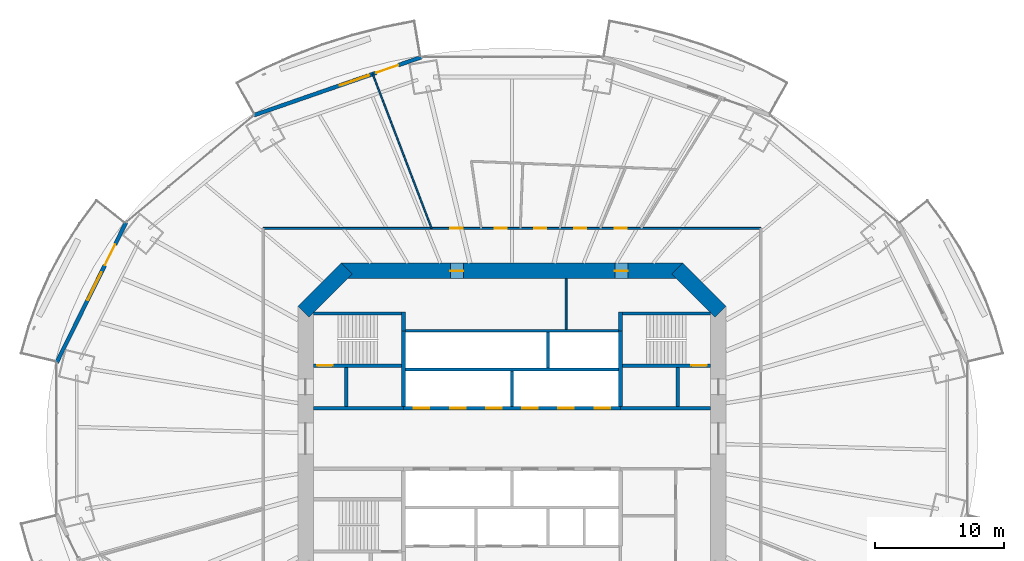
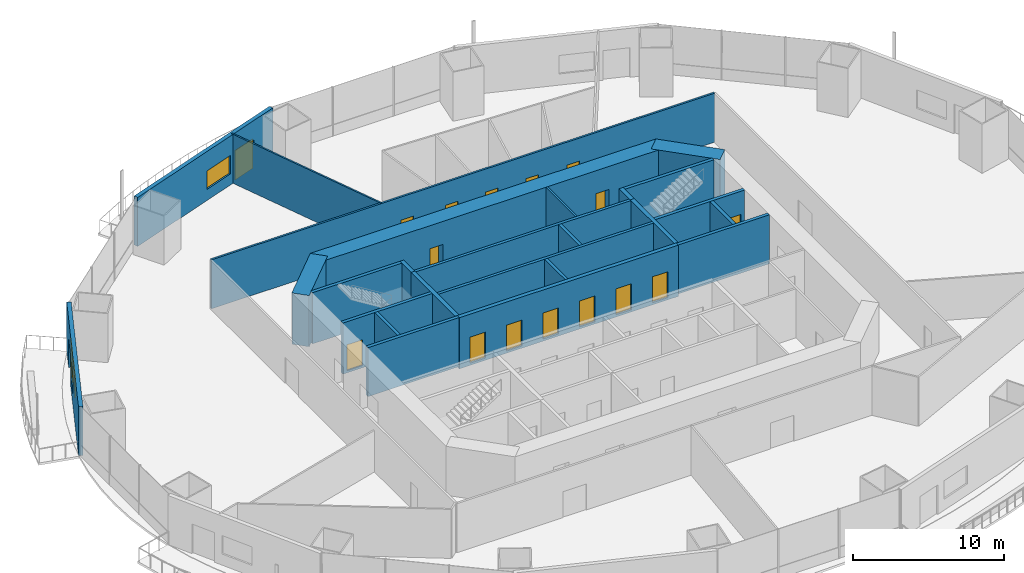
# One storey, part 16 of 23: 25 walls, 17 doors, 2 windows, 19 openings.
"""IFC4 building model written with IfcOpenShell, lengths in metres."""

from ifc_helpers import new_model, si_unit, direction, frame, frame_2d, origin, place, context, subcontext, project, spatial, rectangle, extrude, material, layer, layer_set, type_object, element, fill, save


model = new_model("IFC4")

# Units and contexts
model_context = context("Model", 3, precision=1e-05, world=origin(), true_north=direction((0.0, 1.0)))
body_context = subcontext(model_context, "Body", "Model", "MODEL_VIEW")
ifc_project = project(units=[si_unit("LENGTHUNIT", "METRE"), si_unit("AREAUNIT", "SQUARE_METRE"), si_unit("VOLUMEUNIT", "CUBIC_METRE"), si_unit("PLANEANGLEUNIT", "RADIAN"), si_unit("MASSUNIT", "GRAM", prefix="KILO")], contexts=[model_context])

# Site, building, storey
site_placement = place(None, origin())
site = spatial("IfcSite", under=ifc_project, at=site_placement, CompositionType="ELEMENT")
building_placement = place(site_placement, origin())
building = spatial("IfcBuilding", under=site, at=building_placement, Name="Marenthal Gate Tower", CompositionType="ELEMENT")
storey_placement = place(building_placement, frame((0.0, 0.0, 57.89990234375)))
storey = spatial("IfcBuildingStorey", under=building, at=storey_placement, Name="L10", CompositionType="ELEMENT", Elevation=57.89990234375)

# Wall
ifc_material_1 = material(Name="Concrete 60 MPa", Category="concrete")
ifc_layer_1 = layer(ifc_material_1, 1.199951171875)
ifc_layer_set_1 = layer_set([ifc_layer_1], Name="Core shear wall 1200")
wall_type_1 = type_object("IfcWallType", Name="Core shear wall 1200", PredefinedType="SHEAR", material=ifc_layer_set_1)
wall_1_placement = place(storey_placement, frame((16.17578125, 9.82421875, -0.179931640625), z_axis=(0.0, 0.0, 1.0), x_axis=(-0.707106781187, 0.707106781187, 0.0)))
element("IfcWall", 1, at=wall_1_placement, inside=storey, type_object=wall_type_1, Name="Core wall 03", PredefinedType="SHEAR", context=body_context, shape_type="SweptSolid", body=[
    extrude(rectangle(XDim=4.73974609375, YDim=1.199951171875, at=frame_2d((2.369873046875, 0.0))), origin(), (0.0, 0.0, 1.0), 4.150146484375),
])

# Wall, openings, doors
wall_2_placement = place(storey_placement, frame((13.24853515625, 13.0, -0.179931640625), z_axis=(0.0, 0.0, 1.0), x_axis=(-1.0, 0.0, 0.0)))
wall_2 = element("IfcWall", 2, at=wall_2_placement, inside=storey, type_object=wall_type_1, Name="Core wall 04", PredefinedType="SHEAR", context=body_context, shape_type="SweptSolid", body=[
    extrude(rectangle(XDim=26.4970703125, YDim=1.199951171875, at=frame_2d((13.24853515625, 0.0))), origin(), (0.0, 0.0, 1.0), 4.150146484375),
])
opening_1_placement = place(wall_2_placement, frame((17.0244140625, 0.0, 0.179931640625)))
opening_1 = element("IfcOpeningElement", 3, at=opening_1_placement, cuts=wall_2, Name="Opening D005.01", PredefinedType="OPENING", context=body_context, shape_type="SweptSolid", body=[
    extrude(rectangle(XDim=1.0, YDim=2.10009765625, at=frame_2d((0.5, 1.050048828125))), frame((0.0, 0.60986328125, 0.0), z_axis=(0.0, -1.0, 0.0), x_axis=(1.0, 0.0, 0.0)), (0.0, 0.0, 1.0), 1.219970703125),
])
opening_2_placement = place(wall_2_placement, frame((4.2724609375, 0.0, 0.179931640625)))
opening_2 = element("IfcOpeningElement", 4, at=opening_2_placement, cuts=wall_2, Name="Opening D005.02", PredefinedType="OPENING", context=body_context, shape_type="SweptSolid", body=[
    extrude(rectangle(XDim=1.0, YDim=2.10009765625, at=frame_2d((0.5, 1.050048828125))), frame((0.0, 0.60986328125, 0.0), z_axis=(0.0, -1.0, 0.0), x_axis=(1.0, 0.0, 0.0)), (0.0, 0.0, 1.0), 1.219970703125),
])
ifc_material_2 = material(Name="Steel fire door", Category="steel")
door_type_1 = type_object("IfcDoorType", Name="Fire door FD 45 1000 x 2100", OperationType="NOTDEFINED", PredefinedType="DOOR", material=ifc_material_2)
door_1_placement = place(opening_1_placement, origin())
door_1 = element("IfcDoor", 5, at=door_1_placement, inside=storey, type_object=door_type_1, Name="Door D005.01", OperationType="SINGLE_SWING_RIGHT", OverallHeight=2.10009765625, OverallWidth=1.0, PredefinedType="DOOR", context=body_context, shape_type="SweptSolid", body=[
    extrude(rectangle(XDim=1.0, YDim=2.10009765625, at=frame_2d((0.5, 1.050048828125))), frame((0.0, 0.02490234375, 0.0), z_axis=(0.0, -1.0, 0.0), x_axis=(1.0, 0.0, 0.0)), (0.0, 0.0, 1.0), 0.050048828125),
])
fill(opening_1, door_1)
door_2_placement = place(opening_2_placement, origin())
door_2 = element("IfcDoor", 6, at=door_2_placement, inside=storey, type_object=door_type_1, Name="Door D005.02", OperationType="SINGLE_SWING_RIGHT", OverallHeight=2.10009765625, OverallWidth=1.0, PredefinedType="DOOR", context=body_context, shape_type="SweptSolid", body=[
    extrude(rectangle(XDim=1.0, YDim=2.10009765625, at=frame_2d((0.5, 1.050048828125))), frame((0.0, 0.02490234375, 0.0), z_axis=(0.0, -1.0, 0.0), x_axis=(1.0, 0.0, 0.0)), (0.0, 0.0, 1.0), 0.050048828125),
])
fill(opening_2, door_2)

# Wall
wall_3_placement = place(storey_placement, frame((-12.82421875, 13.17578125, -0.179931640625), z_axis=(0.0, 0.0, 1.0), x_axis=(-0.707106781187, -0.707106781187, 0.0)))
element("IfcWall", 7, at=wall_3_placement, inside=storey, type_object=wall_type_1, Name="Core wall 05", PredefinedType="SHEAR", context=body_context, shape_type="SweptSolid", body=[
    extrude(rectangle(XDim=4.73974609375, YDim=1.199951171875, at=frame_2d((2.369873046875, 0.0))), origin(), (0.0, 0.0, 1.0), 4.150146484375),
])

# Wall, openings, doors
ifc_material_3 = material(Name="Concrete 50 MPa", Category="concrete")
ifc_layer_2 = layer(ifc_material_3, 0.300048828125)
ifc_layer_set_2 = layer_set([ifc_layer_2], Name="Hoistway shear wall 300")
wall_type_2 = type_object("IfcWallType", Name="Hoistway shear wall 300", PredefinedType="SHEAR", material=ifc_layer_set_2)
wall_4_placement = place(storey_placement, frame((-8.39990234375, 2.35009765625, -0.179931640625), z_axis=(0.0, 0.0, 1.0), x_axis=(1.0, 0.0, 0.0)))
wall_4 = element("IfcWall", 8, at=wall_4_placement, inside=storey, type_object=wall_type_2, Name="Hoistway wall 19", PredefinedType="SHEAR", context=body_context, shape_type="SweptSolid", body=[
    extrude(rectangle(XDim=16.7998046875, YDim=0.300048828125, at=frame_2d((8.39990234375, 0.0))), origin(), (0.0, 0.0, 1.0), 4.150146484375),
])
opening_3_placement = place(wall_4_placement, frame((0.800048828125, 0.0, 0.179931640625)))
opening_3 = element("IfcOpeningElement", 9, at=opening_3_placement, cuts=wall_4, Name="Opening LD-LP1", PredefinedType="OPENING", context=body_context, shape_type="SweptSolid", body=[
    extrude(rectangle(XDim=1.199951171875, YDim=2.10009765625, at=frame_2d((0.60009765625, 1.050048828125))), frame((0.0, 0.16015625, 0.0), z_axis=(0.0, -1.0, 0.0), x_axis=(1.0, 0.0, 0.0)), (0.0, 0.0, 1.0), 0.320068359375),
])
opening_4_placement = place(wall_4_placement, frame((3.60009765625, 0.0, 0.179931640625)))
opening_4 = element("IfcOpeningElement", 10, at=opening_4_placement, cuts=wall_4, Name="Opening LD-LP2", PredefinedType="OPENING", context=body_context, shape_type="SweptSolid", body=[
    extrude(rectangle(XDim=1.199951171875, YDim=2.10009765625, at=frame_2d((0.60009765625, 1.050048828125))), frame((0.0, 0.16015625, 0.0), z_axis=(0.0, -1.0, 0.0), x_axis=(1.0, 0.0, 0.0)), (0.0, 0.0, 1.0), 0.320068359375),
])
opening_5_placement = place(wall_4_placement, frame((6.39990234375, 0.0, 0.179931640625)))
opening_5 = element("IfcOpeningElement", 11, at=opening_5_placement, cuts=wall_4, Name="Opening LD-LP3", PredefinedType="OPENING", context=body_context, shape_type="SweptSolid", body=[
    extrude(rectangle(XDim=1.199951171875, YDim=2.10009765625, at=frame_2d((0.60009765625, 1.050048828125))), frame((0.0, 0.16015625, 0.0), z_axis=(0.0, -1.0, 0.0), x_axis=(1.0, 0.0, 0.0)), (0.0, 0.0, 1.0), 0.320068359375),
])
opening_6_placement = place(wall_4_placement, frame((9.199951171875, 0.0, 0.179931640625)))
opening_6 = element("IfcOpeningElement", 12, at=opening_6_placement, cuts=wall_4, Name="Opening LD-LP4", PredefinedType="OPENING", context=body_context, shape_type="SweptSolid", body=[
    extrude(rectangle(XDim=1.199951171875, YDim=2.10009765625, at=frame_2d((0.60009765625, 1.050048828125))), frame((0.0, 0.16015625, 0.0), z_axis=(0.0, -1.0, 0.0), x_axis=(1.0, 0.0, 0.0)), (0.0, 0.0, 1.0), 0.320068359375),
])
opening_7_placement = place(wall_4_placement, frame((12.0, 0.0, 0.179931640625)))
opening_7 = element("IfcOpeningElement", 13, at=opening_7_placement, cuts=wall_4, Name="Opening LD-LP5", PredefinedType="OPENING", context=body_context, shape_type="SweptSolid", body=[
    extrude(rectangle(XDim=1.199951171875, YDim=2.10009765625, at=frame_2d((0.60009765625, 1.050048828125))), frame((0.0, 0.16015625, 0.0), z_axis=(0.0, -1.0, 0.0), x_axis=(1.0, 0.0, 0.0)), (0.0, 0.0, 1.0), 0.320068359375),
])
opening_8_placement = place(wall_4_placement, frame((14.800048828125, 0.0, 0.179931640625)))
opening_8 = element("IfcOpeningElement", 14, at=opening_8_placement, cuts=wall_4, Name="Opening LD-LP6", PredefinedType="OPENING", context=body_context, shape_type="SweptSolid", body=[
    extrude(rectangle(XDim=1.199951171875, YDim=2.10009765625, at=frame_2d((0.60009765625, 1.050048828125))), frame((0.0, 0.16015625, 0.0), z_axis=(0.0, -1.0, 0.0), x_axis=(1.0, 0.0, 0.0)), (0.0, 0.0, 1.0), 0.320068359375),
])
ifc_material_4 = material(Name="Stainless steel sliding door", Category="steel")
door_type_2 = type_object("IfcDoorType", Name="Lift landing door FD 90 1200 x 2100", OperationType="DOUBLE_DOOR_SLIDING", PredefinedType="DOOR", material=ifc_material_4)
door_3_placement = place(opening_3_placement, origin())
door_3 = element("IfcDoor", 15, at=door_3_placement, inside=storey, type_object=door_type_2, Name="Lift landing door LP1", OperationType="DOUBLE_DOOR_SLIDING", OverallHeight=2.10009765625, OverallWidth=1.199951171875, PredefinedType="DOOR", context=body_context, shape_type="SweptSolid", body=[
    extrude(rectangle(XDim=1.199951171875, YDim=2.10009765625, at=frame_2d((0.60009765625, 1.050048828125))), frame((0.0, 0.02490234375, 0.0), z_axis=(0.0, -1.0, 0.0), x_axis=(1.0, 0.0, 0.0)), (0.0, 0.0, 1.0), 0.050048828125),
])
fill(opening_3, door_3)
door_4_placement = place(opening_4_placement, origin())
door_4 = element("IfcDoor", 16, at=door_4_placement, inside=storey, type_object=door_type_2, Name="Lift landing door LP2", OperationType="DOUBLE_DOOR_SLIDING", OverallHeight=2.10009765625, OverallWidth=1.199951171875, PredefinedType="DOOR", context=body_context, shape_type="SweptSolid", body=[
    extrude(rectangle(XDim=1.199951171875, YDim=2.10009765625, at=frame_2d((0.60009765625, 1.050048828125))), frame((0.0, 0.02490234375, 0.0), z_axis=(0.0, -1.0, 0.0), x_axis=(1.0, 0.0, 0.0)), (0.0, 0.0, 1.0), 0.050048828125),
])
fill(opening_4, door_4)
door_5_placement = place(opening_5_placement, origin())
door_5 = element("IfcDoor", 17, at=door_5_placement, inside=storey, type_object=door_type_2, Name="Lift landing door LP3", OperationType="DOUBLE_DOOR_SLIDING", OverallHeight=2.10009765625, OverallWidth=1.199951171875, PredefinedType="DOOR", context=body_context, shape_type="SweptSolid", body=[
    extrude(rectangle(XDim=1.199951171875, YDim=2.10009765625, at=frame_2d((0.60009765625, 1.050048828125))), frame((0.0, 0.02490234375, 0.0), z_axis=(0.0, -1.0, 0.0), x_axis=(1.0, 0.0, 0.0)), (0.0, 0.0, 1.0), 0.050048828125),
])
fill(opening_5, door_5)
door_6_placement = place(opening_6_placement, origin())
door_6 = element("IfcDoor", 18, at=door_6_placement, inside=storey, type_object=door_type_2, Name="Lift landing door LP4", OperationType="DOUBLE_DOOR_SLIDING", OverallHeight=2.10009765625, OverallWidth=1.199951171875, PredefinedType="DOOR", context=body_context, shape_type="SweptSolid", body=[
    extrude(rectangle(XDim=1.199951171875, YDim=2.10009765625, at=frame_2d((0.60009765625, 1.050048828125))), frame((0.0, 0.02490234375, 0.0), z_axis=(0.0, -1.0, 0.0), x_axis=(1.0, 0.0, 0.0)), (0.0, 0.0, 1.0), 0.050048828125),
])
fill(opening_6, door_6)
door_7_placement = place(opening_7_placement, origin())
door_7 = element("IfcDoor", 19, at=door_7_placement, inside=storey, type_object=door_type_2, Name="Lift landing door LP5", OperationType="DOUBLE_DOOR_SLIDING", OverallHeight=2.10009765625, OverallWidth=1.199951171875, PredefinedType="DOOR", context=body_context, shape_type="SweptSolid", body=[
    extrude(rectangle(XDim=1.199951171875, YDim=2.10009765625, at=frame_2d((0.60009765625, 1.050048828125))), frame((0.0, 0.02490234375, 0.0), z_axis=(0.0, -1.0, 0.0), x_axis=(1.0, 0.0, 0.0)), (0.0, 0.0, 1.0), 0.050048828125),
])
fill(opening_7, door_7)
door_8_placement = place(opening_8_placement, origin())
door_8 = element("IfcDoor", 20, at=door_8_placement, inside=storey, type_object=door_type_2, Name="Lift landing door LP6", OperationType="DOUBLE_DOOR_SLIDING", OverallHeight=2.10009765625, OverallWidth=1.199951171875, PredefinedType="DOOR", context=body_context, shape_type="SweptSolid", body=[
    extrude(rectangle(XDim=1.199951171875, YDim=2.10009765625, at=frame_2d((0.60009765625, 1.050048828125))), frame((0.0, 0.02490234375, 0.0), z_axis=(0.0, -1.0, 0.0), x_axis=(1.0, 0.0, 0.0)), (0.0, 0.0, 1.0), 0.050048828125),
])
fill(opening_8, door_8)

# Walls
for number, where, z_axis, x_axis, name in (
    (21, (-8.39990234375, 2.5, -0.179931640625), (0.0, 0.0, 1.0), (0.0, 1.0, 0.0), "Hoistway wall 31"),
    (22, (8.39990234375, 2.5, -0.179931640625), (0.0, 0.0, 1.0), (0.0, 1.0, 0.0), "Hoistway wall 43"),
):
    element("IfcWall", number, at=place(storey_placement, frame(where, z_axis=z_axis, x_axis=x_axis)), inside=storey, type_object=wall_type_2, Name=name, PredefinedType="SHEAR", context=body_context, shape_type="SweptSolid", body=[
        extrude(rectangle(XDim=5.85009765625, YDim=0.300048828125, at=frame_2d((2.925048828125, 0.0))), origin(), (0.0, 0.0, 1.0), 4.150146484375),
    ])
ifc_material_5 = material(Name="Concrete 40 MPa", Category="concrete")
ifc_layer_3 = layer(ifc_material_5, 0.219970703125)
ifc_layer_set_3 = layer_set([ifc_layer_3], Name="Hoistway wall 220")
wall_type_3 = type_object("IfcWallType", Name="Hoistway wall 220", PredefinedType="STANDARD", material=ifc_layer_set_3)
for number, where, z_axis, x_axis, name in (
    (23, (-8.25, 5.35009765625, 0.0), (0.0, 0.0, 1.0), (1.0, 0.0, 0.0), "Hoistway wall 21"),
    (24, (-8.25, 8.35009765625, 0.0), (0.0, 0.0, 1.0), (1.0, 0.0, 0.0), "Hoistway wall 24"),
):
    element("IfcWall", number, at=place(storey_placement, frame(where, z_axis=z_axis, x_axis=x_axis)), inside=storey, type_object=wall_type_3, Name=name, PredefinedType="STANDARD", context=body_context, shape_type="SweptSolid", body=[
        extrude(rectangle(XDim=16.5, YDim=0.219970703125, at=frame_2d((8.25, 0.0))), origin(), (0.0, 0.0, 1.0), 3.97021484375),
    ])
wall_5_placement = place(storey_placement, frame((0.0, 2.5, 0.0), z_axis=(0.0, 0.0, 1.0), x_axis=(0.0, 1.0, 0.0)))
element("IfcWall", 25, at=wall_5_placement, inside=storey, type_object=wall_type_3, Name="Hoistway wall 36", PredefinedType="STANDARD", context=body_context, shape_type="SweptSolid", body=[
    extrude(rectangle(XDim=2.739990234375, YDim=0.219970703125, at=frame_2d((1.3701171875, 0.0))), origin(), (0.0, 0.0, 1.0), 3.97021484375),
])
wall_6_placement = place(storey_placement, frame((2.800048828125, 5.4599609375, 0.0), z_axis=(0.0, 0.0, 1.0), x_axis=(0.0, 1.0, 0.0)))
element("IfcWall", 26, at=wall_6_placement, inside=storey, type_object=wall_type_3, Name="Hoistway wall 38", PredefinedType="STANDARD", context=body_context, shape_type="SweptSolid", body=[
    extrude(rectangle(XDim=2.780029296875, YDim=0.219970703125, at=frame_2d((1.39013671875, 0.0))), origin(), (0.0, 0.0, 1.0), 3.97021484375),
])
ifc_material_6 = material(Name="Gypsum board on steel studs", Category="steel")
ifc_layer_4 = layer(ifc_material_6, 0.1201171875)
ifc_layer_set_4 = layer_set([ifc_layer_4], Name="Partition 120")
wall_type_4 = type_object("IfcWallType", Name="Partition 120", PredefinedType="PARTITIONING", material=ifc_layer_set_4)
wall_7_placement = place(storey_placement, frame((-6.23046875, 16.300048828125, 0.0), z_axis=(0.0, 0.0, 1.0), x_axis=(-0.357030786406, 0.934092617227, 0.0)))
element("IfcWall", 27, at=wall_7_placement, inside=storey, type_object=wall_type_4, Name="Partition wall 52", PredefinedType="PARTITIONING", context=body_context, shape_type="SweptSolid", body=[
    extrude(rectangle(XDim=12.80224609375, YDim=0.1201171875, at=frame_2d((6.401123046875, 0.0))), origin(), (0.0, 0.0, 1.0), 3.97021484375),
])
ifc_material_7 = material(Name="Gypsum board on steel studs", Category="steel")
ifc_layer_5 = layer(ifc_material_7, 0.14990234375)
ifc_layer_set_5 = layer_set([ifc_layer_5], Name="Partition 150")
wall_type_5 = type_object("IfcWallType", Name="Partition 150", PredefinedType="PARTITIONING", material=ifc_layer_set_5)
wall_8_placement = place(storey_placement, frame((4.199951171875, 8.4599609375, 0.0), z_axis=(0.0, 0.0, 1.0), x_axis=(0.0, 1.0, 0.0)))
element("IfcWall", 28, at=wall_8_placement, inside=storey, type_object=wall_type_5, Name="Partition wall 39", PredefinedType="PARTITIONING", context=body_context, shape_type="SweptSolid", body=[
    extrude(rectangle(XDim=3.93994140625, YDim=0.14990234375, at=frame_2d((1.969970703125, 0.0))), origin(), (0.0, 0.0, 1.0), 3.97021484375),
])

# Wall, openings, doors
wall_9_placement = place(storey_placement, frame((-19.300048828125, 16.300048828125, 0.0), z_axis=(0.0, 0.0, 1.0), x_axis=(1.0, 0.0, 0.0)))
wall_9 = element("IfcWall", 29, at=wall_9_placement, inside=storey, type_object=wall_type_5, Name="Partition wall 51", PredefinedType="PARTITIONING", context=body_context, shape_type="SweptSolid", body=[
    extrude(rectangle(XDim=38.60009765625, YDim=0.14990234375, at=frame_2d((19.300048828125, 0.0))), origin(), (0.0, 0.0, 1.0), 3.97021484375),
])
opening_9_placement = place(wall_9_placement, frame((27.260009765625, 0.0, 0.0)))
opening_9 = element("IfcOpeningElement", 30, at=opening_9_placement, cuts=wall_9, Name="Opening D016.01", PredefinedType="OPENING", context=body_context, shape_type="SweptSolid", body=[
    extrude(rectangle(XDim=0.949951171875, YDim=2.10009765625, at=frame_2d((0.47509765625, 1.050048828125))), frame((0.0, 0.0849609375, 0.0), z_axis=(0.0, -1.0, 0.0), x_axis=(1.0, 0.0, 0.0)), (0.0, 0.0, 1.0), 0.169921875),
])
opening_10_placement = place(wall_9_placement, frame((24.110107421875, 0.0, 0.0)))
opening_10 = element("IfcOpeningElement", 31, at=opening_10_placement, cuts=wall_9, Name="Opening D016.02", PredefinedType="OPENING", context=body_context, shape_type="SweptSolid", body=[
    extrude(rectangle(XDim=0.949951171875, YDim=2.10009765625, at=frame_2d((0.47509765625, 1.050048828125))), frame((0.0, 0.0849609375, 0.0), z_axis=(0.0, -1.0, 0.0), x_axis=(1.0, 0.0, 0.0)), (0.0, 0.0, 1.0), 0.169921875),
])
opening_11_placement = place(wall_9_placement, frame((21.008056640625, 0.0, 0.0)))
opening_11 = element("IfcOpeningElement", 32, at=opening_11_placement, cuts=wall_9, Name="Opening D016.03", PredefinedType="OPENING", context=body_context, shape_type="SweptSolid", body=[
    extrude(rectangle(XDim=0.949951171875, YDim=2.10009765625, at=frame_2d((0.47509765625, 1.050048828125))), frame((0.0, 0.0849609375, 0.0), z_axis=(0.0, -1.0, 0.0), x_axis=(1.0, 0.0, 0.0)), (0.0, 0.0, 1.0), 0.169921875),
])
opening_12_placement = place(wall_9_placement, frame((17.951904296875, 0.0, 0.0)))
opening_12 = element("IfcOpeningElement", 33, at=opening_12_placement, cuts=wall_9, Name="Opening D016.04", PredefinedType="OPENING", context=body_context, shape_type="SweptSolid", body=[
    extrude(rectangle(XDim=0.949951171875, YDim=2.10009765625, at=frame_2d((0.47509765625, 1.050048828125))), frame((0.0, 0.0849609375, 0.0), z_axis=(0.0, -1.0, 0.0), x_axis=(1.0, 0.0, 0.0)), (0.0, 0.0, 1.0), 0.169921875),
])
opening_13_placement = place(wall_9_placement, frame((14.51611328125, 0.0, 0.0)))
opening_13 = element("IfcOpeningElement", 34, at=opening_13_placement, cuts=wall_9, Name="Opening D016.05", PredefinedType="OPENING", context=body_context, shape_type="SweptSolid", body=[
    extrude(rectangle(XDim=0.949951171875, YDim=2.10009765625, at=frame_2d((0.47509765625, 1.050048828125))), frame((0.0, 0.0849609375, 0.0), z_axis=(0.0, -1.0, 0.0), x_axis=(1.0, 0.0, 0.0)), (0.0, 0.0, 1.0), 0.169921875),
])
ifc_material_8 = material(Name="Timber door", Category="wood")
door_type_3 = type_object("IfcDoorType", Name="Door 950 x 2100", OperationType="NOTDEFINED", PredefinedType="DOOR", material=ifc_material_8)
door_9_placement = place(opening_9_placement, origin())
door_9 = element("IfcDoor", 35, at=door_9_placement, inside=storey, type_object=door_type_3, Name="Door D016.01", OperationType="SINGLE_SWING_RIGHT", OverallHeight=2.10009765625, OverallWidth=0.949951171875, PredefinedType="DOOR", context=body_context, shape_type="SweptSolid", body=[
    extrude(rectangle(XDim=0.949951171875, YDim=2.10009765625, at=frame_2d((0.47509765625, 1.050048828125))), frame((0.0, 0.02490234375, 0.0), z_axis=(0.0, -1.0, 0.0), x_axis=(1.0, 0.0, 0.0)), (0.0, 0.0, 1.0), 0.050048828125),
])
fill(opening_9, door_9)
door_10_placement = place(opening_10_placement, origin())
door_10 = element("IfcDoor", 36, at=door_10_placement, inside=storey, type_object=door_type_3, Name="Door D016.02", OperationType="SINGLE_SWING_RIGHT", OverallHeight=2.10009765625, OverallWidth=0.949951171875, PredefinedType="DOOR", context=body_context, shape_type="SweptSolid", body=[
    extrude(rectangle(XDim=0.949951171875, YDim=2.10009765625, at=frame_2d((0.47509765625, 1.050048828125))), frame((0.0, 0.02490234375, 0.0), z_axis=(0.0, -1.0, 0.0), x_axis=(1.0, 0.0, 0.0)), (0.0, 0.0, 1.0), 0.050048828125),
])
fill(opening_10, door_10)
door_11_placement = place(opening_11_placement, origin())
door_11 = element("IfcDoor", 37, at=door_11_placement, inside=storey, type_object=door_type_3, Name="Door D016.03", OperationType="SINGLE_SWING_RIGHT", OverallHeight=2.10009765625, OverallWidth=0.949951171875, PredefinedType="DOOR", context=body_context, shape_type="SweptSolid", body=[
    extrude(rectangle(XDim=0.949951171875, YDim=2.10009765625, at=frame_2d((0.47509765625, 1.050048828125))), frame((0.0, 0.02490234375, 0.0), z_axis=(0.0, -1.0, 0.0), x_axis=(1.0, 0.0, 0.0)), (0.0, 0.0, 1.0), 0.050048828125),
])
fill(opening_11, door_11)
door_12_placement = place(opening_12_placement, origin())
door_12 = element("IfcDoor", 38, at=door_12_placement, inside=storey, type_object=door_type_3, Name="Door D016.04", OperationType="SINGLE_SWING_RIGHT", OverallHeight=2.10009765625, OverallWidth=0.949951171875, PredefinedType="DOOR", context=body_context, shape_type="SweptSolid", body=[
    extrude(rectangle(XDim=0.949951171875, YDim=2.10009765625, at=frame_2d((0.47509765625, 1.050048828125))), frame((0.0, 0.02490234375, 0.0), z_axis=(0.0, -1.0, 0.0), x_axis=(1.0, 0.0, 0.0)), (0.0, 0.0, 1.0), 0.050048828125),
])
fill(opening_12, door_12)
door_13_placement = place(opening_13_placement, origin())
door_13 = element("IfcDoor", 39, at=door_13_placement, inside=storey, type_object=door_type_3, Name="Door D016.05", OperationType="SINGLE_SWING_RIGHT", OverallHeight=2.10009765625, OverallWidth=0.949951171875, PredefinedType="DOOR", context=body_context, shape_type="SweptSolid", body=[
    extrude(rectangle(XDim=0.949951171875, YDim=2.10009765625, at=frame_2d((0.47509765625, 1.050048828125))), frame((0.0, 0.02490234375, 0.0), z_axis=(0.0, -1.0, 0.0), x_axis=(1.0, 0.0, 0.0)), (0.0, 0.0, 1.0), 0.050048828125),
])
fill(opening_13, door_13)

# Walls
ifc_material_9 = material(Name="Concrete 40 MPa", Category="concrete")
ifc_layer_6 = layer(ifc_material_9, 0.25)
ifc_layer_set_6 = layer_set([ifc_layer_6], Name="Stair enclosure wall 250")
wall_type_6 = type_object("IfcWallType", Name="Stair enclosure wall 250", PredefinedType="STANDARD", material=ifc_layer_set_6)
for number, where, z_axis, x_axis, name in (
    (40, (-15.39990234375, 2.35009765625, 0.0), (0.0, 0.0, 1.0), (1.0, 0.0, 0.0), "Stair wall 18"),
    (41, (8.39990234375, 2.35009765625, 0.0), (0.0, 0.0, 1.0), (1.0, 0.0, 0.0), "Stair wall 20"),
):
    element("IfcWall", number, at=place(storey_placement, frame(where, z_axis=z_axis, x_axis=x_axis)), inside=storey, type_object=wall_type_6, Name=name, PredefinedType="STANDARD", context=body_context, shape_type="SweptSolid", body=[
        extrude(rectangle(XDim=7.0, YDim=0.25, at=frame_2d((3.5, 0.0))), origin(), (0.0, 0.0, 1.0), 3.97021484375),
    ])
for number, where, z_axis, x_axis, name in (
    (42, (-12.85009765625, 2.47509765625, 0.0), (0.0, 0.0, 1.0), (0.0, 1.0, 0.0), "Stair wall 27"),
    (43, (12.85009765625, 2.47509765625, 0.0), (0.0, 0.0, 1.0), (0.0, 1.0, 0.0), "Stair wall 46"),
):
    element("IfcWall", number, at=place(storey_placement, frame(where, z_axis=z_axis, x_axis=x_axis)), inside=storey, type_object=wall_type_6, Name=name, PredefinedType="STANDARD", context=body_context, shape_type="SweptSolid", body=[
        extrude(rectangle(XDim=3.0498046875, YDim=0.25, at=frame_2d((1.52490234375, 0.0))), origin(), (0.0, 0.0, 1.0), 3.97021484375),
    ])

# Wall, opening, door
ifc_material_10 = material(Name="Concrete 50 MPa", Category="concrete")
ifc_layer_7 = layer(ifc_material_10, 0.25)
ifc_layer_set_7 = layer_set([ifc_layer_7], Name="Stair shear wall 250")
wall_type_7 = type_object("IfcWallType", Name="Stair shear wall 250", PredefinedType="SHEAR", material=ifc_layer_set_7)
wall_10_placement = place(storey_placement, frame((-15.39990234375, 5.64990234375, -0.179931640625), z_axis=(0.0, 0.0, 1.0), x_axis=(1.0, 0.0, 0.0)))
wall_10 = element("IfcWall", 44, at=wall_10_placement, inside=storey, type_object=wall_type_7, Name="Stair wall 22", PredefinedType="SHEAR", context=body_context, shape_type="SweptSolid", body=[
    extrude(rectangle(XDim=6.849853515625, YDim=0.25, at=frame_2d((3.4248046875, 0.0))), origin(), (0.0, 0.0, 1.0), 4.150146484375),
])
opening_14_placement = place(wall_10_placement, frame((0.300048828125, 0.0, 0.179931640625)))
opening_14 = element("IfcOpeningElement", 45, at=opening_14_placement, cuts=wall_10, Name="Opening D001.01", PredefinedType="OPENING", context=body_context, shape_type="SweptSolid", body=[
    extrude(rectangle(XDim=1.199951171875, YDim=2.10009765625, at=frame_2d((0.60009765625, 1.050048828125))), frame((0.0, 0.135009765625, 0.0), z_axis=(0.0, -1.0, 0.0), x_axis=(1.0, 0.0, 0.0)), (0.0, 0.0, 1.0), 0.27001953125),
])
ifc_material_11 = material(Name="Steel fire door", Category="steel")
door_type_4 = type_object("IfcDoorType", Name="Fire door FD 90 1200 x 2100", OperationType="NOTDEFINED", PredefinedType="DOOR", material=ifc_material_11)
door_14_placement = place(opening_14_placement, origin())
door_14 = element("IfcDoor", 46, at=door_14_placement, inside=storey, type_object=door_type_4, Name="Door D001.01", OperationType="SINGLE_SWING_RIGHT", OverallHeight=2.10009765625, OverallWidth=1.199951171875, PredefinedType="DOOR", context=body_context, shape_type="SweptSolid", body=[
    extrude(rectangle(XDim=1.199951171875, YDim=2.10009765625, at=frame_2d((0.60009765625, 1.050048828125))), frame((0.0, 0.02490234375, 0.0), z_axis=(0.0, -1.0, 0.0), x_axis=(1.0, 0.0, 0.0)), (0.0, 0.0, 1.0), 0.050048828125),
])
fill(opening_14, door_14)

wall_11_placement = place(storey_placement, frame((8.550048828125, 5.64990234375, -0.179931640625), z_axis=(0.0, 0.0, 1.0), x_axis=(1.0, 0.0, 0.0)))
wall_11 = element("IfcWall", 47, at=wall_11_placement, inside=storey, type_object=wall_type_7, Name="Stair wall 23", PredefinedType="SHEAR", context=body_context, shape_type="SweptSolid", body=[
    extrude(rectangle(XDim=6.849853515625, YDim=0.25, at=frame_2d((3.4248046875, 0.0))), origin(), (0.0, 0.0, 1.0), 4.150146484375),
])
opening_15_placement = place(wall_11_placement, frame((5.35009765625, 0.0, 0.179931640625)))
opening_15 = element("IfcOpeningElement", 48, at=opening_15_placement, cuts=wall_11, Name="Opening D001.02", PredefinedType="OPENING", context=body_context, shape_type="SweptSolid", body=[
    extrude(rectangle(XDim=1.199951171875, YDim=2.10009765625, at=frame_2d((0.60009765625, 1.050048828125))), frame((0.0, 0.135009765625, 0.0), z_axis=(0.0, -1.0, 0.0), x_axis=(1.0, 0.0, 0.0)), (0.0, 0.0, 1.0), 0.27001953125),
])
door_15_placement = place(opening_15_placement, origin())
door_15 = element("IfcDoor", 49, at=door_15_placement, inside=storey, type_object=door_type_4, Name="Door D001.02", OperationType="SINGLE_SWING_RIGHT", OverallHeight=2.10009765625, OverallWidth=1.199951171875, PredefinedType="DOOR", context=body_context, shape_type="SweptSolid", body=[
    extrude(rectangle(XDim=1.199951171875, YDim=2.10009765625, at=frame_2d((0.60009765625, 1.050048828125))), frame((0.0, 0.02490234375, 0.0), z_axis=(0.0, -1.0, 0.0), x_axis=(1.0, 0.0, 0.0)), (0.0, 0.0, 1.0), 0.050048828125),
])
fill(opening_15, door_15)

# Walls
for number, where, z_axis, x_axis, name in (
    (50, (-15.39990234375, 9.699951171875, -0.179931640625), (0.0, 0.0, 1.0), (1.0, 0.0, 0.0), "Stair wall 25"),
    (51, (8.550048828125, 9.699951171875, -0.179931640625), (0.0, 0.0, 1.0), (1.0, 0.0, 0.0), "Stair wall 26"),
):
    element("IfcWall", number, at=place(storey_placement, frame(where, z_axis=z_axis, x_axis=x_axis)), inside=storey, type_object=wall_type_7, Name=name, PredefinedType="SHEAR", context=body_context, shape_type="SweptSolid", body=[
        extrude(rectangle(XDim=6.849853515625, YDim=0.25, at=frame_2d((3.4248046875, 0.0))), origin(), (0.0, 0.0, 1.0), 4.150146484375),
    ])
ifc_material_12 = material(Name="Concrete 50 MPa", Category="concrete")
ifc_layer_8 = layer(ifc_material_12, 0.300048828125)
ifc_layer_set_8 = layer_set([ifc_layer_8], Name="Stair shear wall 300")
wall_type_8 = type_object("IfcWallType", Name="Stair shear wall 300", PredefinedType="SHEAR", material=ifc_layer_set_8)
for number, where, z_axis, x_axis, name in (
    (52, (-8.39990234375, 8.35009765625, -0.179931640625), (0.0, 0.0, 1.0), (0.0, 1.0, 0.0), "Stair wall 32"),
    (53, (8.39990234375, 8.35009765625, -0.179931640625), (0.0, 0.0, 1.0), (0.0, 1.0, 0.0), "Stair wall 44"),
):
    element("IfcWall", number, at=place(storey_placement, frame(where, z_axis=z_axis, x_axis=x_axis)), inside=storey, type_object=wall_type_8, Name=name, PredefinedType="SHEAR", context=body_context, shape_type="SweptSolid", body=[
        extrude(rectangle(XDim=1.474853515625, YDim=0.300048828125, at=frame_2d((0.7373046875, 0.0))), origin(), (0.0, 0.0, 1.0), 4.150146484375),
    ])

# Wall, openings, door, window
ifc_material_13 = material(Name="Terracotta cladding on insulated concrete-block backing", Category="masonry")
ifc_layer_9 = layer(ifc_material_13, 0.300048828125)
ifc_layer_set_9 = layer_set([ifc_layer_9], Name="Terracotta facade wall 300")
wall_type_9 = type_object("IfcWallType", Name="Terracotta facade wall 300", PredefinedType="SOLIDWALL", material=ifc_layer_set_9)
wall_12_placement = place(storey_placement, frame((-7.022216796875, 29.569580078125, 0.0), z_axis=(0.0, 0.0, 1.0), x_axis=(-0.944762678088, -0.327755216727, 0.0)))
wall_12 = element("IfcWall", 54, at=wall_12_placement, inside=storey, type_object=wall_type_9, Name="Terracotta facade wall L10 bay 5", PredefinedType="SOLIDWALL", context=body_context, shape_type="SweptSolid", body=[
    extrude(rectangle(XDim=13.734130859375, YDim=0.300048828125, at=frame_2d((6.8671875, 0.0))), origin(), (0.0, 0.0, 1.0), 3.97021484375),
])
opening_16_placement = place(wall_12_placement, frame((1.89990234375, 0.0, 0.0)))
opening_16 = element("IfcOpeningElement", 55, at=opening_16_placement, cuts=wall_12, Name="Opening BD-L10-05", PredefinedType="OPENING", context=body_context, shape_type="SweptSolid", body=[
    extrude(rectangle(XDim=1.800048828125, YDim=2.39990234375, at=frame_2d((0.89990234375, 1.199951171875))), frame((0.0, 0.16015625, 0.0), z_axis=(0.0, -1.0, 0.0), x_axis=(1.0, 0.0, 0.0)), (0.0, 0.0, 1.0), 0.320068359375),
])
opening_17_placement = place(wall_12_placement, frame((4.300048828125, 0.0, 0.89990234375)))
opening_17 = element("IfcOpeningElement", 56, at=opening_17_placement, cuts=wall_12, Name="Opening WN1-L10-05", PredefinedType="OPENING", context=body_context, shape_type="SweptSolid", body=[
    extrude(rectangle(XDim=2.39990234375, YDim=1.5, at=frame_2d((1.199951171875, 0.75))), frame((0.0, 0.16015625, 0.0), z_axis=(0.0, -1.0, 0.0), x_axis=(1.0, 0.0, 0.0)), (0.0, 0.0, 1.0), 0.320068359375),
])
ifc_material_14 = material(Name="Aluminium and glass", Category="aluminium")
door_type_5 = type_object("IfcDoorType", Name="Balcony door 1800x2400", OperationType="DOUBLE_DOOR_SINGLE_SWING", PredefinedType="DOOR", material=ifc_material_14)
door_16_placement = place(opening_16_placement, origin())
door_16 = element("IfcDoor", 57, at=door_16_placement, inside=storey, type_object=door_type_5, Name="Balcony door L10 bay 5", OperationType="SINGLE_SWING_LEFT", OverallHeight=2.39990234375, OverallWidth=1.800048828125, PredefinedType="DOOR", context=body_context, shape_type="SweptSolid", body=[
    extrude(rectangle(XDim=1.800048828125, YDim=2.39990234375, at=frame_2d((0.89990234375, 1.199951171875))), frame((0.0, 0.02490234375, 0.0), z_axis=(0.0, -1.0, 0.0), x_axis=(1.0, 0.0, 0.0)), (0.0, 0.0, 1.0), 0.050048828125),
])
fill(opening_16, door_16)
ifc_material_15 = material(Name="Aluminium and glass", Category="aluminium")
window_type = type_object("IfcWindowType", Name="Window 2400x1500", PartitioningType="TRIPLE_PANEL_VERTICAL", PredefinedType="WINDOW", material=ifc_material_15)
window_1_placement = place(opening_17_placement, origin())
window_1 = element("IfcWindow", 58, at=window_1_placement, inside=storey, type_object=window_type, Name="Window L10 bay 5", OverallHeight=1.5, OverallWidth=2.39990234375, PartitioningType="SINGLE_PANEL", PredefinedType="WINDOW", context=body_context, shape_type="SweptSolid", body=[
    extrude(rectangle(XDim=2.39990234375, YDim=1.5, at=frame_2d((1.199951171875, 0.75))), frame((0.0, 0.030029296875, 0.0), z_axis=(0.0, -1.0, 0.0), x_axis=(1.0, 0.0, 0.0)), (0.0, 0.0, 1.0), 0.06005859375),
])
fill(opening_17, window_1)

wall_13_placement = place(storey_placement, frame((-29.9287109375, 16.75, 0.0), z_axis=(0.0, 0.0, 1.0), x_axis=(-0.443294866901, -0.896375848057, 0.0)))
wall_13 = element("IfcWall", 59, at=wall_13_placement, inside=storey, type_object=wall_type_9, Name="Terracotta facade wall L10 bay 7", PredefinedType="SOLIDWALL", context=body_context, shape_type="SweptSolid", body=[
    extrude(rectangle(XDim=12.12451171875, YDim=0.300048828125, at=frame_2d((6.062255859375, 0.0))), origin(), (0.0, 0.0, 1.0), 3.97021484375),
])
opening_18_placement = place(wall_13_placement, frame((1.89990234375, 0.0, 0.0)))
opening_18 = element("IfcOpeningElement", 60, at=opening_18_placement, cuts=wall_13, Name="Opening BD-L10-07", PredefinedType="OPENING", context=body_context, shape_type="SweptSolid", body=[
    extrude(rectangle(XDim=1.800048828125, YDim=2.39990234375, at=frame_2d((0.89990234375, 1.199951171875))), frame((0.0, 0.16015625, 0.0), z_axis=(0.0, -1.0, 0.0), x_axis=(1.0, 0.0, 0.0)), (0.0, 0.0, 1.0), 0.320068359375),
])
opening_19_placement = place(wall_13_placement, frame((4.300048828125, 0.0, 0.89990234375)))
opening_19 = element("IfcOpeningElement", 61, at=opening_19_placement, cuts=wall_13, Name="Opening WN1-L10-07", PredefinedType="OPENING", context=body_context, shape_type="SweptSolid", body=[
    extrude(rectangle(XDim=2.39990234375, YDim=1.5, at=frame_2d((1.199951171875, 0.75))), frame((0.0, 0.16015625, 0.0), z_axis=(0.0, -1.0, 0.0), x_axis=(1.0, 0.0, 0.0)), (0.0, 0.0, 1.0), 0.320068359375),
])
door_17_placement = place(opening_18_placement, origin())
door_17 = element("IfcDoor", 62, at=door_17_placement, inside=storey, type_object=door_type_5, Name="Balcony door L10 bay 7", OperationType="SINGLE_SWING_LEFT", OverallHeight=2.39990234375, OverallWidth=1.800048828125, PredefinedType="DOOR", context=body_context, shape_type="SweptSolid", body=[
    extrude(rectangle(XDim=1.800048828125, YDim=2.39990234375, at=frame_2d((0.89990234375, 1.199951171875))), frame((0.0, 0.02490234375, 0.0), z_axis=(0.0, -1.0, 0.0), x_axis=(1.0, 0.0, 0.0)), (0.0, 0.0, 1.0), 0.050048828125),
])
fill(opening_18, door_17)
window_2_placement = place(opening_19_placement, origin())
window_2 = element("IfcWindow", 63, at=window_2_placement, inside=storey, type_object=window_type, Name="Window L10 bay 7", OverallHeight=1.5, OverallWidth=2.39990234375, PartitioningType="SINGLE_PANEL", PredefinedType="WINDOW", context=body_context, shape_type="SweptSolid", body=[
    extrude(rectangle(XDim=2.39990234375, YDim=1.5, at=frame_2d((1.199951171875, 0.75))), frame((0.0, 0.030029296875, 0.0), z_axis=(0.0, -1.0, 0.0), x_axis=(1.0, 0.0, 0.0)), (0.0, 0.0, 1.0), 0.06005859375),
])
fill(opening_19, window_2)

save(model, "model.ifc")
